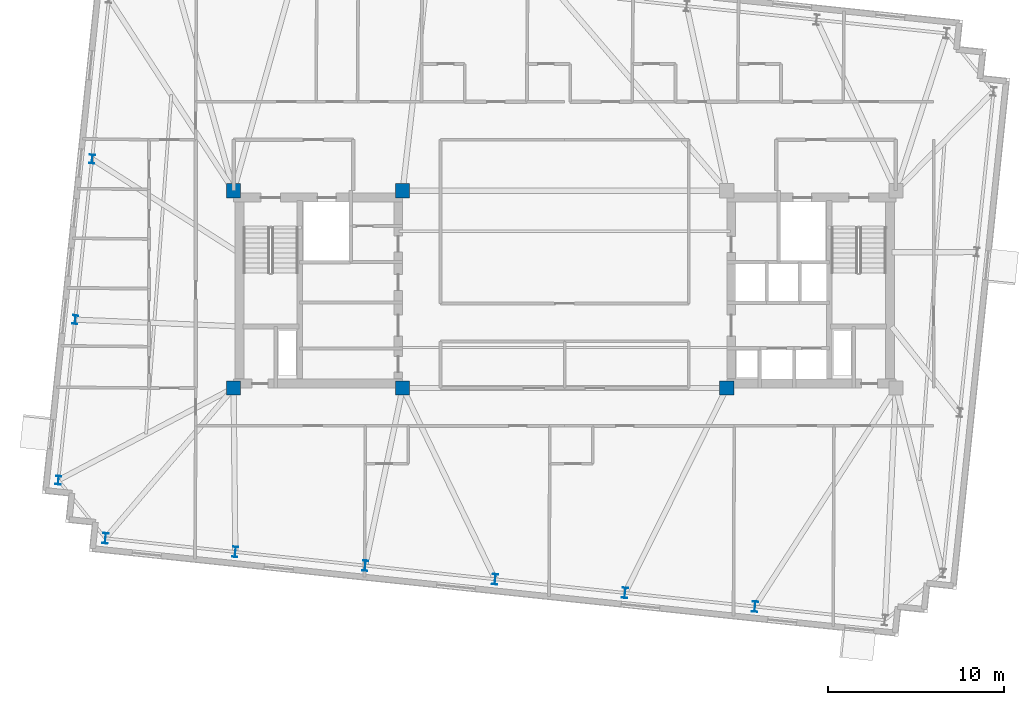
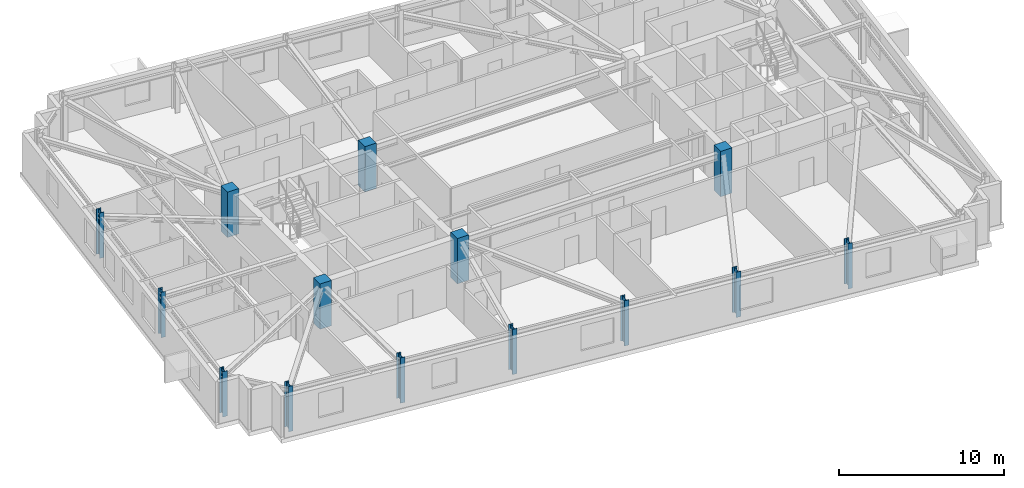
# One storey, part 1 of 12: 14 columns.
"""IFC4 building model written with IfcOpenShell, lengths in metres."""

from ifc_helpers import new_model, si_unit, direction, frame, origin, origin_2d, place, context, subcontext, project, spatial, rectangle, i_section, extrude, material, material_profile, profile_set, type_object, element, save


model = new_model("IFC4")

# Units and contexts
model_context = context("Model", 3, precision=1e-05, world=origin(), true_north=direction((0.0, 1.0)))
body_context = subcontext(model_context, "Body", "Model", "MODEL_VIEW")
ifc_project = project(units=[si_unit("LENGTHUNIT", "METRE"), si_unit("AREAUNIT", "SQUARE_METRE"), si_unit("VOLUMEUNIT", "CUBIC_METRE"), si_unit("PLANEANGLEUNIT", "RADIAN"), si_unit("MASSUNIT", "GRAM", prefix="KILO")], contexts=[model_context])

# Site, building, storey
site_placement = place(None, origin())
site = spatial("IfcSite", under=ifc_project, at=site_placement, CompositionType="ELEMENT")
building_placement = place(site_placement, origin())
building = spatial("IfcBuilding", under=site, at=building_placement, Name="Qobustan Lattice House", CompositionType="ELEMENT")
storey_placement = place(building_placement, frame((0.0, 0.0, 189.699951171875)))
storey = spatial("IfcBuildingStorey", under=building, at=storey_placement, Name="L53", CompositionType="ELEMENT", Elevation=189.699951171875)

# Columns
ifc_material_1 = material(Name="Concrete C50/60", Category="concrete")
ifc_material_profile_1 = material_profile(ifc_material_1, rectangle(XDim=0.800048828125, YDim=0.800048828125, at=origin_2d()), Name="RC800x800")
ifc_profile_set_1 = profile_set([ifc_material_profile_1], Name="Concrete C50/60")
column_type_1 = type_object("IfcColumnType", Name="COL-RC-800", PredefinedType="COLUMN", material=ifc_profile_set_1)
for number, where, z_axis, x_axis, name in (
    (1, (-18.800048828125, -5.60009765625, 0.0), (0.0, 0.0, 1.0), (1.0, 0.0, 0.0), "L53 core mega-column CW-SW"),
    (2, (-18.800048828125, 5.60009765625, 0.0), (0.0, 0.0, 1.0), (1.0, 0.0, 0.0), "L53 core mega-column CW-NW"),
    (3, (-9.199951171875, -5.60009765625, 0.0), (0.0, 0.0, 1.0), (1.0, 0.0, 0.0), "L53 core mega-column CW-SE"),
    (4, (-9.199951171875, 5.60009765625, 0.0), (0.0, 0.0, 1.0), (1.0, 0.0, 0.0), "L53 core mega-column CW-NE"),
    (5, (9.199951171875, -5.60009765625, 0.0), (0.0, 0.0, 1.0), (1.0, 0.0, 0.0), "L53 core mega-column CE-SW"),
):
    element("IfcColumn", number, at=place(storey_placement, frame(where, z_axis=z_axis, x_axis=x_axis)), inside=storey, type_object=column_type_1, Name=name, PredefinedType="COLUMN", context=body_context, shape_type="SweptSolid", body=[
        extrude(rectangle(XDim=0.800048828125, YDim=0.800048828125, at=origin_2d()), origin(), (0.0, 0.0, 1.0), 3.35009765625),
    ])
ifc_material_2 = material(Name="Steel S355", Category="steel")
ifc_material_profile_2 = material_profile(ifc_material_2, i_section(OverallWidth=0.300048828125, OverallDepth=0.5, WebThickness=0.014404296875, FlangeThickness=0.028076171875, FilletRadius=0.027099609375, at=origin_2d()), Name="HEB500")
ifc_profile_set_2 = profile_set([ifc_material_profile_2], Name="Steel S355")
column_type_2 = type_object("IfcColumnType", Name="COL-ST-HEB500", PredefinedType="COLUMN", material=ifc_profile_set_2)
for number, where, z_axis, x_axis, name in (
    (6, (-26.83251953125, 7.397705078125, 0.0), (0.0, 0.0, 1.0), (0.994521895368, -0.104528463268, 0.0), "L53 B4 perimeter column W2"),
    (7, (-27.790771484375, -1.718994140625, 0.0), (0.0, 0.0, 1.0), (0.994521895368, -0.104528463268, 0.0), "L53 B4 perimeter column W3"),
    (8, (-28.748779296875, -10.835205078125, 0.0), (0.0, 0.0, 1.0), (0.994521895368, -0.104528463268, 0.0), "L53 B4 perimeter column W4"),
):
    element("IfcColumn", number, at=place(storey_placement, frame(where, z_axis=z_axis, x_axis=x_axis)), inside=storey, type_object=column_type_2, Name=name, PredefinedType="COLUMN", context=body_context, shape_type="SweptSolid", body=[
        extrude(i_section(OverallWidth=0.300048828125, OverallDepth=0.5, WebThickness=0.014404296875, FlangeThickness=0.028076171875, FilletRadius=0.027099609375, at=origin_2d()), origin(), (0.0, 0.0, 1.0), 3.35009765625),
    ])
ifc_material_3 = material(Name="Steel S355", Category="steel")
ifc_material_profile_3 = material_profile(ifc_material_3, i_section(OverallWidth=0.300048828125, OverallDepth=0.60009765625, WebThickness=0.015380859375, FlangeThickness=0.030029296875, FilletRadius=0.027099609375, at=origin_2d()), Name="HEB600")
ifc_profile_set_3 = profile_set([ifc_material_profile_3], Name="Steel S355")
column_type_3 = type_object("IfcColumnType", Name="COL-ST-HEB600", PredefinedType="COLUMN", material=ifc_profile_set_3)
for number, where, z_axis, x_axis, name in (
    (9, (-26.0791015625, -14.132568359375, 0.0), (0.0, 0.0, 1.0), (0.994521895368, -0.104528463268, 0.0), "L53 B4 perimeter column S1"),
    (10, (-18.702880859375, -14.90771484375, 0.0), (0.0, 0.0, 1.0), (0.994521895368, -0.104528463268, 0.0), "L53 B4 perimeter column S2"),
    (11, (-11.326904296875, -15.68310546875, 0.0), (0.0, 0.0, 1.0), (0.994521895368, -0.104528463268, 0.0), "L53 B4 perimeter column S3"),
    (12, (-3.950927734375, -16.458251953125, 0.0), (0.0, 0.0, 1.0), (0.994521895368, -0.104528463268, 0.0), "L53 B4 perimeter column S4"),
    (13, (3.42529296875, -17.2333984375, 0.0), (0.0, 0.0, 1.0), (0.994521895368, -0.104528463268, 0.0), "L53 B4 perimeter column S5"),
    (14, (10.80126953125, -18.0087890625, 0.0), (0.0, 0.0, 1.0), (0.994521895368, -0.104528463268, 0.0), "L53 B4 perimeter column S6"),
):
    element("IfcColumn", number, at=place(storey_placement, frame(where, z_axis=z_axis, x_axis=x_axis)), inside=storey, type_object=column_type_3, Name=name, PredefinedType="COLUMN", context=body_context, shape_type="SweptSolid", body=[
        extrude(i_section(OverallWidth=0.300048828125, OverallDepth=0.60009765625, WebThickness=0.015380859375, FlangeThickness=0.030029296875, FilletRadius=0.027099609375, at=origin_2d()), origin(), (0.0, 0.0, 1.0), 3.35009765625),
    ])

save(model, "model.ifc")
